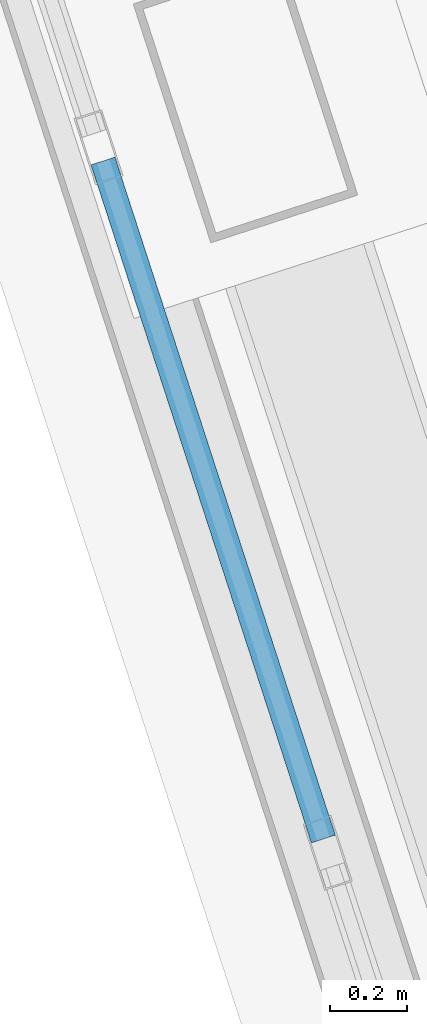
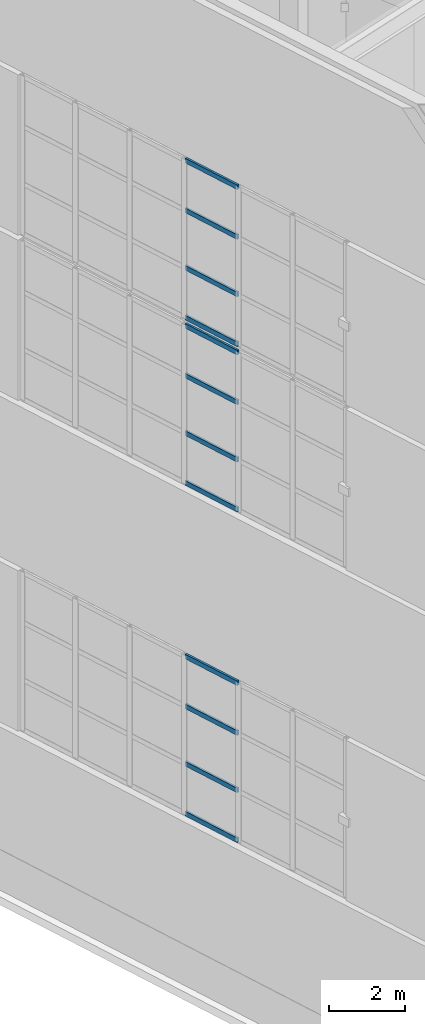
# One storey, part 21 of 56: 12 members, 3 elements without a shape of their own.
"""IFC4 building model written with IfcOpenShell, lengths in metres."""

from ifc_helpers import new_model, si_unit, direction, frame, origin, origin_2d, place, context, subcontext, project, spatial, hollow_rectangle, extrude, material, layer, layer_set, material_profile, profile_set, type_object, element, aggregate, save


model = new_model("IFC4")

# Units and contexts
model_context = context("Model", 3, precision=1e-05, world=origin(), true_north=direction((0.0, 1.0)))
body_context = subcontext(model_context, "Body", "Model", "MODEL_VIEW")
ifc_project = project(units=[si_unit("LENGTHUNIT", "METRE"), si_unit("AREAUNIT", "SQUARE_METRE"), si_unit("VOLUMEUNIT", "CUBIC_METRE"), si_unit("PLANEANGLEUNIT", "RADIAN"), si_unit("MASSUNIT", "GRAM", prefix="KILO")], contexts=[model_context])

# Site, building, storey
site_placement = place(None, origin())
site = spatial("IfcSite", under=ifc_project, at=site_placement, CompositionType="ELEMENT")
building_placement = place(site_placement, origin())
building = spatial("IfcBuilding", under=site, at=building_placement, Name="Qiaolan Cultural Towers", CompositionType="ELEMENT")
storey_placement = place(building_placement, frame((0.0, 0.0, 250.39990234375)))
storey = spatial("IfcBuildingStorey", under=building, at=storey_placement, Name="L68", CompositionType="ELEMENT", Elevation=250.39990234375)

# Curtain wall, members
ifc_material_1 = material(Name="Unitized Anodized Aluminium Curtain Wall System", Category="aluminium")
ifc_layer = layer(ifc_material_1, 0.199951171875)
ifc_layer_set = layer_set([ifc_layer], Name="Unitized Anodized Aluminium Curtain Wall System")
curtain_wall_type = type_object("IfcCurtainWallType", Name="CWS-06", PredefinedType="NOTDEFINED", material=ifc_layer_set)
curtain_wall_1_placement = place(storey_placement, origin())
curtain_wall_1 = element("IfcCurtainWall", 1, at=curtain_wall_1_placement, inside=storey, type_object=curtain_wall_type, Name="T2 Crown Tier 2 Fritted Screen Curtain Wall 7", PredefinedType="NOTDEFINED")
ifc_material_2 = material(Name="Extruded Aluminium 6063-T6", Category="aluminium")
ifc_material_profile = material_profile(ifc_material_2, hollow_rectangle(XDim=0.06494140625, YDim=0.14990234375, WallThickness=0.00390625, at=origin_2d()), Name="CWT-150x65x4")
ifc_profile_set = profile_set([ifc_material_profile], Name="Extruded Aluminium 6063-T6")
member_type = type_object("IfcMemberType", Name="CWS-06-TRN", PredefinedType="USERDEFINED", material=ifc_profile_set)
member_1_placement = place(storey_placement, frame((76.83935546875, 29.6845703125, 5.4326171875), z_axis=(0.309074105406, -0.951037957901, 0.0), x_axis=(0.951037957901, 0.309074105406, 0.0)))
member_1 = element("IfcMember", 2, at=member_1_placement, type_object=member_type, Name="CW-6 transom 4.1", ObjectType="TRANSOM", PredefinedType="USERDEFINED", context=body_context, shape_type="SweptSolid", body=[
    extrude(hollow_rectangle(XDim=0.06494140625, YDim=0.14990234375, WallThickness=0.00390625, at=origin_2d()), origin(), (0.0, 0.0, 1.0), 1.84521484375),
])
member_2_placement = place(storey_placement, frame((76.83935546875, 29.6845703125, 7.030029296875), z_axis=(0.309074105406, -0.951037957901, 0.0), x_axis=(0.951037957901, 0.309074105406, 0.0)))
member_2 = element("IfcMember", 3, at=member_2_placement, type_object=member_type, Name="CW-6 transom 4.2", ObjectType="TRANSOM", PredefinedType="USERDEFINED", context=body_context, shape_type="SweptSolid", body=[
    extrude(hollow_rectangle(XDim=0.06494140625, YDim=0.14990234375, WallThickness=0.00390625, at=origin_2d()), origin(), (0.0, 0.0, 1.0), 1.84521484375),
])
member_3_placement = place(storey_placement, frame((76.83935546875, 29.6845703125, 8.8701171875), z_axis=(0.309074105406, -0.951037957901, 0.0), x_axis=(0.951037957901, 0.309074105406, 0.0)))
member_3 = element("IfcMember", 4, at=member_3_placement, type_object=member_type, Name="CW-6 transom 4.3", ObjectType="TRANSOM", PredefinedType="USERDEFINED", context=body_context, shape_type="SweptSolid", body=[
    extrude(hollow_rectangle(XDim=0.06494140625, YDim=0.14990234375, WallThickness=0.00390625, at=origin_2d()), origin(), (0.0, 0.0, 1.0), 1.84521484375),
])
member_4_placement = place(storey_placement, frame((76.83935546875, 29.6845703125, 10.467529296875), z_axis=(0.309074105406, -0.951037957901, 0.0), x_axis=(0.951037957901, 0.309074105406, 0.0)))
member_4 = element("IfcMember", 5, at=member_4_placement, type_object=member_type, Name="CW-6 transom 4.4", ObjectType="TRANSOM", PredefinedType="USERDEFINED", context=body_context, shape_type="SweptSolid", body=[
    extrude(hollow_rectangle(XDim=0.06494140625, YDim=0.14990234375, WallThickness=0.00390625, at=origin_2d()), origin(), (0.0, 0.0, 1.0), 1.84521484375),
])
aggregate(curtain_wall_1, [member_1, member_2, member_3, member_4])

curtain_wall_2_placement = place(storey_placement, origin())
curtain_wall_2 = element("IfcCurtainWall", 6, at=curtain_wall_2_placement, inside=storey, type_object=curtain_wall_type, Name="T2 Crown Tier 4 Fritted Screen Curtain Wall 7", PredefinedType="NOTDEFINED")
member_5_placement = place(storey_placement, frame((76.83935546875, 29.6845703125, 16.03271484375), z_axis=(0.309074105406, -0.951037957901, 0.0), x_axis=(0.951037957901, 0.309074105406, 0.0)))
member_5 = element("IfcMember", 7, at=member_5_placement, type_object=member_type, Name="CW-6 transom 4.1", ObjectType="TRANSOM", PredefinedType="USERDEFINED", context=body_context, shape_type="SweptSolid", body=[
    extrude(hollow_rectangle(XDim=0.06494140625, YDim=0.14990234375, WallThickness=0.00390625, at=origin_2d()), origin(), (0.0, 0.0, 1.0), 1.84521484375),
])
member_6_placement = place(storey_placement, frame((76.83935546875, 29.6845703125, 17.630126953125), z_axis=(0.309074105406, -0.951037957901, 0.0), x_axis=(0.951037957901, 0.309074105406, 0.0)))
member_6 = element("IfcMember", 8, at=member_6_placement, type_object=member_type, Name="CW-6 transom 4.2", ObjectType="TRANSOM", PredefinedType="USERDEFINED", context=body_context, shape_type="SweptSolid", body=[
    extrude(hollow_rectangle(XDim=0.06494140625, YDim=0.14990234375, WallThickness=0.00390625, at=origin_2d()), origin(), (0.0, 0.0, 1.0), 1.84521484375),
])
member_7_placement = place(storey_placement, frame((76.83935546875, 29.6845703125, 19.47021484375), z_axis=(0.309074105406, -0.951037957901, 0.0), x_axis=(0.951037957901, 0.309074105406, 0.0)))
member_7 = element("IfcMember", 9, at=member_7_placement, type_object=member_type, Name="CW-6 transom 4.3", ObjectType="TRANSOM", PredefinedType="USERDEFINED", context=body_context, shape_type="SweptSolid", body=[
    extrude(hollow_rectangle(XDim=0.06494140625, YDim=0.14990234375, WallThickness=0.00390625, at=origin_2d()), origin(), (0.0, 0.0, 1.0), 1.84521484375),
])
member_8_placement = place(storey_placement, frame((76.83935546875, 29.6845703125, 21.067626953125), z_axis=(0.309074105406, -0.951037957901, 0.0), x_axis=(0.951037957901, 0.309074105406, 0.0)))
member_8 = element("IfcMember", 10, at=member_8_placement, type_object=member_type, Name="CW-6 transom 4.4", ObjectType="TRANSOM", PredefinedType="USERDEFINED", context=body_context, shape_type="SweptSolid", body=[
    extrude(hollow_rectangle(XDim=0.06494140625, YDim=0.14990234375, WallThickness=0.00390625, at=origin_2d()), origin(), (0.0, 0.0, 1.0), 1.84521484375),
])
aggregate(curtain_wall_2, [member_5, member_6, member_7, member_8])

curtain_wall_3_placement = place(storey_placement, origin())
curtain_wall_3 = element("IfcCurtainWall", 11, at=curtain_wall_3_placement, inside=storey, type_object=curtain_wall_type, Name="T2 Crown Tier 5 Fritted Screen Curtain Wall 7", PredefinedType="NOTDEFINED")
member_9_placement = place(storey_placement, frame((76.83935546875, 29.6845703125, 21.33251953125), z_axis=(0.309074105406, -0.951037957901, 0.0), x_axis=(0.951037957901, 0.309074105406, 0.0)))
member_9 = element("IfcMember", 12, at=member_9_placement, type_object=member_type, Name="CW-6 transom 4.1", ObjectType="TRANSOM", PredefinedType="USERDEFINED", context=body_context, shape_type="SweptSolid", body=[
    extrude(hollow_rectangle(XDim=0.06494140625, YDim=0.14990234375, WallThickness=0.00390625, at=origin_2d()), origin(), (0.0, 0.0, 1.0), 1.84521484375),
])
member_10_placement = place(storey_placement, frame((76.83935546875, 29.6845703125, 22.93017578125), z_axis=(0.309074105406, -0.951037957901, 0.0), x_axis=(0.951037957901, 0.309074105406, 0.0)))
member_10 = element("IfcMember", 13, at=member_10_placement, type_object=member_type, Name="CW-6 transom 4.2", ObjectType="TRANSOM", PredefinedType="USERDEFINED", context=body_context, shape_type="SweptSolid", body=[
    extrude(hollow_rectangle(XDim=0.06494140625, YDim=0.14990234375, WallThickness=0.00390625, at=origin_2d()), origin(), (0.0, 0.0, 1.0), 1.84521484375),
])
member_11_placement = place(storey_placement, frame((76.83935546875, 29.6845703125, 24.77001953125), z_axis=(0.309074105406, -0.951037957901, 0.0), x_axis=(0.951037957901, 0.309074105406, 0.0)))
member_11 = element("IfcMember", 14, at=member_11_placement, type_object=member_type, Name="CW-6 transom 4.3", ObjectType="TRANSOM", PredefinedType="USERDEFINED", context=body_context, shape_type="SweptSolid", body=[
    extrude(hollow_rectangle(XDim=0.06494140625, YDim=0.14990234375, WallThickness=0.00390625, at=origin_2d()), origin(), (0.0, 0.0, 1.0), 1.84521484375),
])
member_12_placement = place(storey_placement, frame((76.83935546875, 29.6845703125, 26.36767578125), z_axis=(0.309074105406, -0.951037957901, 0.0), x_axis=(0.951037957901, 0.309074105406, 0.0)))
member_12 = element("IfcMember", 15, at=member_12_placement, type_object=member_type, Name="CW-6 transom 4.4", ObjectType="TRANSOM", PredefinedType="USERDEFINED", context=body_context, shape_type="SweptSolid", body=[
    extrude(hollow_rectangle(XDim=0.06494140625, YDim=0.14990234375, WallThickness=0.00390625, at=origin_2d()), origin(), (0.0, 0.0, 1.0), 1.84521484375),
])
aggregate(curtain_wall_3, [member_9, member_10, member_11, member_12])

save(model, "model.ifc")
